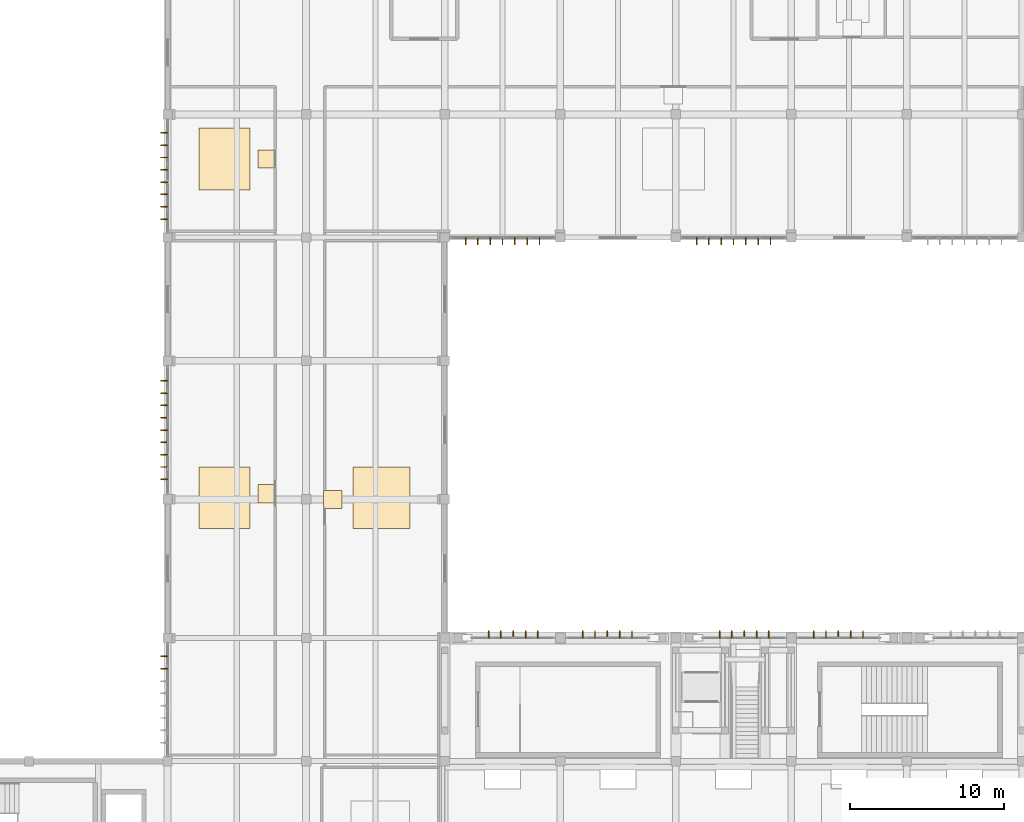
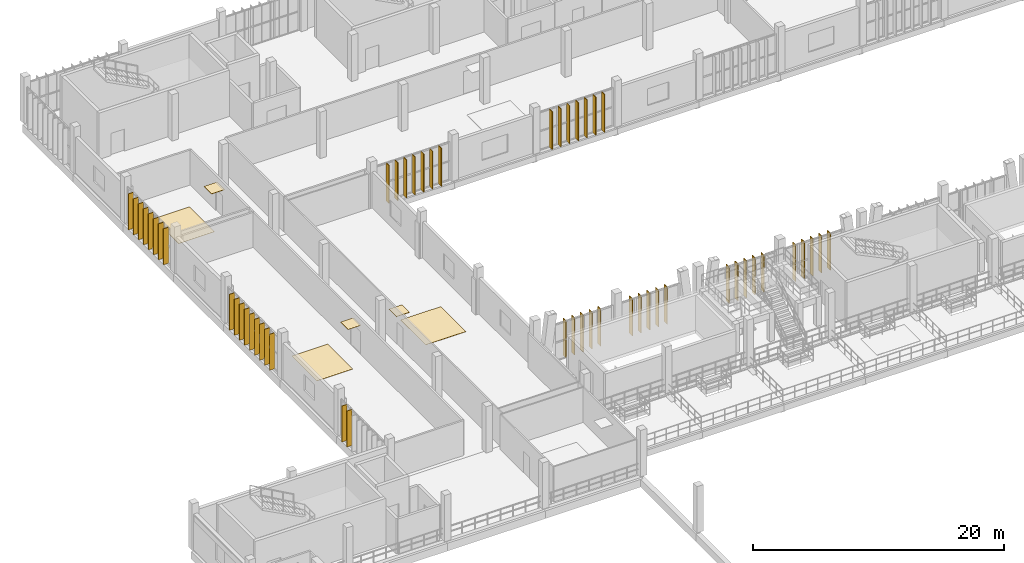
# One storey, part 72 of 81: 53 shading devices, 6 coverings.
"""IFC4 building model written with IfcOpenShell, lengths in metres."""

from ifc_helpers import new_model, si_unit, direction, frame, origin, origin_2d, place, context, subcontext, project, spatial, rectangle, extrude, material, layer, layer_set, material_profile, profile_set, type_object, element, save


model = new_model("IFC4")

# Units and contexts
model_context = context("Model", 3, precision=1e-05, world=origin(), true_north=direction((0.0, 1.0)))
body_context = subcontext(model_context, "Body", "Model", "MODEL_VIEW")
ifc_project = project(units=[si_unit("LENGTHUNIT", "METRE"), si_unit("AREAUNIT", "SQUARE_METRE"), si_unit("VOLUMEUNIT", "CUBIC_METRE"), si_unit("PLANEANGLEUNIT", "RADIAN"), si_unit("MASSUNIT", "GRAM", prefix="KILO")], contexts=[model_context])

# Site, building, storey
site_placement = place(None, origin())
site = spatial("IfcSite", under=ifc_project, at=site_placement, CompositionType="ELEMENT")
building_placement = place(site_placement, origin())
building = spatial("IfcBuilding", under=site, at=building_placement, Name="Vourika Railside Aquatics Centre", CompositionType="ELEMENT")
storey_placement = place(building_placement, frame((0.0, 0.0, 4.800048828125)))
storey = spatial("IfcBuildingStorey", under=building, at=storey_placement, Name="L01", CompositionType="ELEMENT", Elevation=4.800048828125)

# Coverings
ifc_material_1 = material(Name="Perforated moisture-resistant acoustic gypsum ceiling")
ifc_layer_1 = layer(ifc_material_1, 0.02490234375, Name="COV-CEIL-25")
ifc_layer_set_1 = layer_set([ifc_layer_1], Name="Perforated moisture-resistant acoustic gypsum ceiling")
covering_type_1 = type_object("IfcCoveringType", Name="COV-CEIL-25", PredefinedType="CEILING", material=ifc_layer_set_1)
for number, where, z_axis, x_axis, name in (
    (1, (24.47998046875, 97.10009765625, 2.637451171875), (0.0, 0.0, 1.0), (1.0, 0.0, 0.0), "Functional Kettlebell and Stretch Studio Acoustic Ceiling Panel"),
    (2, (24.47998046875, 75.3701171875, 2.637451171875), (0.0, 0.0, 1.0), (1.0, 0.0, 0.0), "Pilates and Trunk Mobility Studio Acoustic Ceiling Panel"),
    (3, (28.719970703125, 74.989990234375, 2.637451171875), (0.0, 0.0, 1.0), (1.0, 0.0, 0.0), "Members Fitness Assessment Lounge Acoustic Ceiling Panel"),
):
    element("IfcCovering", number, at=place(storey_placement, frame(where, z_axis=z_axis, x_axis=x_axis)), inside=storey, type_object=covering_type_1, Name=name, PredefinedType="CEILING", context=body_context, shape_type="SweptSolid", body=[
        extrude(rectangle(XDim=1.199951171875, YDim=1.199951171875, at=origin_2d()), origin(), (0.0, 0.0, 1.0), 0.02490234375),
    ])
ifc_material_2 = material(Name="Slip-resistant aqua ceramic sports flooring")
ifc_layer_2 = layer(ifc_material_2, 0.02001953125, Name="COV-FLOR-20")
ifc_layer_set_2 = layer_set([ifc_layer_2], Name="Slip-resistant aqua ceramic sports flooring")
covering_type_2 = type_object("IfcCoveringType", Name="COV-FLOR-20", PredefinedType="FLOORING", material=ifc_layer_set_2)
for number, where, z_axis, x_axis, name in (
    (4, (21.699951171875, 97.10009765625, 0.0), (0.0, 0.0, 1.0), (1.0, 0.0, 0.0), "Functional Kettlebell and Stretch Studio Sports Flooring Panel"),
    (5, (21.699951171875, 75.10009765625, 0.0), (0.0, 0.0, 1.0), (1.0, 0.0, 0.0), "Pilates and Trunk Mobility Studio Sports Flooring Panel"),
):
    element("IfcCovering", number, at=place(storey_placement, frame(where, z_axis=z_axis, x_axis=x_axis)), inside=storey, type_object=covering_type_2, Name=name, PredefinedType="FLOORING", context=body_context, shape_type="SweptSolid", body=[
        extrude(rectangle(XDim=3.300048828125, YDim=4.0, at=origin_2d()), origin(), (0.0, 0.0, 1.0), 0.02001953125),
    ])
covering_placement = place(storey_placement, frame((31.89990234375, 75.10009765625, 0.0), z_axis=(0.0, 0.0, 1.0), x_axis=(1.0, 0.0, 0.0)))
element("IfcCovering", 6, at=covering_placement, inside=storey, type_object=covering_type_2, Name="Members Fitness Assessment Lounge Sports Flooring Panel", PredefinedType="FLOORING", context=body_context, shape_type="SweptSolid", body=[
    extrude(rectangle(XDim=3.699951171875, YDim=4.0, at=origin_2d()), origin(), (0.0, 0.0, 1.0), 0.02001953125),
])

# Shading devices
ifc_material_3 = material(Name="Bronze-anodized extruded aluminium", Category="aluminium")
ifc_material_profile = material_profile(ifc_material_3, rectangle(XDim=0.06005859375, YDim=0.47998046875, at=origin_2d()), Name="ALU-FIN 60x480")
ifc_profile_set = profile_set([ifc_material_profile], Name="Bronze-anodized extruded aluminium")
shading_device_type = type_object("IfcShadingDeviceType", Name="SHD-FIN-F48A", PredefinedType="USERDEFINED", material=ifc_profile_set)
for number, where, z_axis, x_axis, name in (
    (7, (38.844970703125, 66.215087890625, 0.0), (0.0, 0.0, 1.0), (1.0, 0.0, 0.0), "Vertical Solar Fin VSF-0183"),
    (8, (39.64501953125, 66.215087890625, 0.0), (0.0, 0.0, 1.0), (1.0, 0.0, 0.0), "Vertical Solar Fin VSF-0184"),
    (9, (40.445068359375, 66.215087890625, 0.0), (0.0, 0.0, 1.0), (1.0, 0.0, 0.0), "Vertical Solar Fin VSF-0185"),
    (10, (41.2451171875, 66.215087890625, 0.0), (0.0, 0.0, 1.0), (1.0, 0.0, 0.0), "Vertical Solar Fin VSF-0186"),
    (11, (42.044921875, 66.215087890625, 0.0), (0.0, 0.0, 1.0), (1.0, 0.0, 0.0), "Vertical Solar Fin VSF-0187"),
    (12, (44.955078125, 66.215087890625, 0.0), (0.0, 0.0, 1.0), (1.0, 0.0, 0.0), "Vertical Solar Fin VSF-0188"),
    (13, (45.7548828125, 66.215087890625, 0.0), (0.0, 0.0, 1.0), (1.0, 0.0, 0.0), "Vertical Solar Fin VSF-0189"),
    (14, (46.554931640625, 66.215087890625, 0.0), (0.0, 0.0, 1.0), (1.0, 0.0, 0.0), "Vertical Solar Fin VSF-0190"),
    (15, (47.35498046875, 66.215087890625, 0.0), (0.0, 0.0, 1.0), (1.0, 0.0, 0.0), "Vertical Solar Fin VSF-0191"),
    (16, (48.155029296875, 66.215087890625, 0.0), (0.0, 0.0, 1.0), (1.0, 0.0, 0.0), "Vertical Solar Fin VSF-0192"),
    (17, (53.844970703125, 66.215087890625, 0.0), (0.0, 0.0, 1.0), (1.0, 0.0, 0.0), "Vertical Solar Fin VSF-0200"),
    (18, (54.64501953125, 66.215087890625, 0.0), (0.0, 0.0, 1.0), (1.0, 0.0, 0.0), "Vertical Solar Fin VSF-0201"),
    (19, (55.445068359375, 66.215087890625, 0.0), (0.0, 0.0, 1.0), (1.0, 0.0, 0.0), "Vertical Solar Fin VSF-0202"),
    (20, (56.2451171875, 66.215087890625, 0.0), (0.0, 0.0, 1.0), (1.0, 0.0, 0.0), "Vertical Solar Fin VSF-0203"),
    (21, (57.044921875, 66.215087890625, 0.0), (0.0, 0.0, 1.0), (1.0, 0.0, 0.0), "Vertical Solar Fin VSF-0204"),
    (22, (59.955078125, 66.215087890625, 0.0), (0.0, 0.0, 1.0), (1.0, 0.0, 0.0), "Vertical Solar Fin VSF-0205"),
    (23, (60.7548828125, 66.215087890625, 0.0), (0.0, 0.0, 1.0), (1.0, 0.0, 0.0), "Vertical Solar Fin VSF-0206"),
    (24, (61.554931640625, 66.215087890625, 0.0), (0.0, 0.0, 1.0), (1.0, 0.0, 0.0), "Vertical Solar Fin VSF-0207"),
    (25, (62.35498046875, 66.215087890625, 0.0), (0.0, 0.0, 1.0), (1.0, 0.0, 0.0), "Vertical Solar Fin VSF-0208"),
    (26, (63.155029296875, 66.215087890625, 0.0), (0.0, 0.0, 1.0), (1.0, 0.0, 0.0), "Vertical Solar Fin VSF-0209"),
):
    element("IfcShadingDevice", number, at=place(storey_placement, frame(where, z_axis=z_axis, x_axis=x_axis)), inside=storey, type_object=shading_device_type, Name=name, ObjectType="FIN", PredefinedType="USERDEFINED", context=body_context, shape_type="SweptSolid", body=[
        extrude(rectangle(XDim=0.06005859375, YDim=0.47998046875, at=origin_2d()), origin(), (0.0, 0.0, 1.0), 3.599853515625),
    ])
for number, where, z_axis, x_axis, name in (
    (27, (37.35009765625, 91.784912109375, 0.0), (0.0, 0.0, 1.0), (-1.0, 0.0, 0.0), "Vertical Solar Fin VSF-0782"),
    (28, (38.14990234375, 91.784912109375, 0.0), (0.0, 0.0, 1.0), (-1.0, 0.0, 0.0), "Vertical Solar Fin VSF-0783"),
    (29, (38.949951171875, 91.784912109375, 0.0), (0.0, 0.0, 1.0), (-1.0, 0.0, 0.0), "Vertical Solar Fin VSF-0784"),
    (30, (39.75, 91.784912109375, 0.0), (0.0, 0.0, 1.0), (-1.0, 0.0, 0.0), "Vertical Solar Fin VSF-0785"),
    (31, (40.550048828125, 91.784912109375, 0.0), (0.0, 0.0, 1.0), (-1.0, 0.0, 0.0), "Vertical Solar Fin VSF-0786"),
    (32, (41.35009765625, 91.784912109375, 0.0), (0.0, 0.0, 1.0), (-1.0, 0.0, 0.0), "Vertical Solar Fin VSF-0787"),
    (33, (42.14990234375, 91.784912109375, 0.0), (0.0, 0.0, 1.0), (-1.0, 0.0, 0.0), "Vertical Solar Fin VSF-0788"),
    (34, (52.35009765625, 91.784912109375, 0.0), (0.0, 0.0, 1.0), (-1.0, 0.0, 0.0), "Vertical Solar Fin VSF-0789"),
    (35, (53.14990234375, 91.784912109375, 0.0), (0.0, 0.0, 1.0), (-1.0, 0.0, 0.0), "Vertical Solar Fin VSF-0790"),
    (36, (53.949951171875, 91.784912109375, 0.0), (0.0, 0.0, 1.0), (-1.0, 0.0, 0.0), "Vertical Solar Fin VSF-0791"),
    (37, (54.75, 91.784912109375, 0.0), (0.0, 0.0, 1.0), (-1.0, 0.0, 0.0), "Vertical Solar Fin VSF-0792"),
    (38, (55.550048828125, 91.784912109375, 0.0), (0.0, 0.0, 1.0), (-1.0, 0.0, 0.0), "Vertical Solar Fin VSF-0793"),
    (39, (56.35009765625, 91.784912109375, 0.0), (0.0, 0.0, 1.0), (-1.0, 0.0, 0.0), "Vertical Solar Fin VSF-0794"),
    (40, (57.14990234375, 91.784912109375, 0.0), (0.0, 0.0, 1.0), (-1.0, 0.0, 0.0), "Vertical Solar Fin VSF-0795"),
):
    element("IfcShadingDevice", number, at=place(storey_placement, frame(where, z_axis=z_axis, x_axis=x_axis)), inside=storey, type_object=shading_device_type, Name=name, ObjectType="FIN", PredefinedType="USERDEFINED", context=body_context, shape_type="SweptSolid", body=[
        extrude(rectangle(XDim=0.06005859375, YDim=0.47998046875, at=origin_2d()), origin(), (0.0, 0.0, 1.0), 3.699951171875),
    ])
for number, where, z_axis, x_axis, name in (
    (41, (17.784912109375, 64.0, 0.0), (0.0, 0.0, 1.0), (0.0, 1.0, 0.0), "Vertical Solar Fin VSF-0837"),
    (42, (17.784912109375, 64.800048828125, 0.0), (0.0, 0.0, 1.0), (0.0, 1.0, 0.0), "Vertical Solar Fin VSF-0838"),
    (43, (17.784912109375, 76.300048828125, 0.0), (0.0, 0.0, 1.0), (0.0, 1.0, 0.0), "Vertical Solar Fin VSF-0839"),
    (44, (17.784912109375, 77.10009765625, 0.0), (0.0, 0.0, 1.0), (0.0, 1.0, 0.0), "Vertical Solar Fin VSF-0840"),
    (45, (17.784912109375, 77.89990234375, 0.0), (0.0, 0.0, 1.0), (0.0, 1.0, 0.0), "Vertical Solar Fin VSF-0841"),
    (46, (17.784912109375, 78.699951171875, 0.0), (0.0, 0.0, 1.0), (0.0, 1.0, 0.0), "Vertical Solar Fin VSF-0842"),
    (47, (17.784912109375, 79.5, 0.0), (0.0, 0.0, 1.0), (0.0, 1.0, 0.0), "Vertical Solar Fin VSF-0843"),
    (48, (17.784912109375, 80.300048828125, 0.0), (0.0, 0.0, 1.0), (0.0, 1.0, 0.0), "Vertical Solar Fin VSF-0844"),
    (49, (17.784912109375, 81.10009765625, 0.0), (0.0, 0.0, 1.0), (0.0, 1.0, 0.0), "Vertical Solar Fin VSF-0845"),
    (50, (17.784912109375, 81.89990234375, 0.0), (0.0, 0.0, 1.0), (0.0, 1.0, 0.0), "Vertical Solar Fin VSF-0846"),
    (51, (17.784912109375, 82.699951171875, 0.0), (0.0, 0.0, 1.0), (0.0, 1.0, 0.0), "Vertical Solar Fin VSF-0847"),
    (52, (17.784912109375, 93.199951171875, 0.0), (0.0, 0.0, 1.0), (0.0, 1.0, 0.0), "Vertical Solar Fin VSF-0848"),
    (53, (17.784912109375, 94.0, 0.0), (0.0, 0.0, 1.0), (0.0, 1.0, 0.0), "Vertical Solar Fin VSF-0849"),
    (54, (17.784912109375, 94.800048828125, 0.0), (0.0, 0.0, 1.0), (0.0, 1.0, 0.0), "Vertical Solar Fin VSF-0850"),
    (55, (17.784912109375, 95.60009765625, 0.0), (0.0, 0.0, 1.0), (0.0, 1.0, 0.0), "Vertical Solar Fin VSF-0851"),
    (56, (17.784912109375, 96.39990234375, 0.0), (0.0, 0.0, 1.0), (0.0, 1.0, 0.0), "Vertical Solar Fin VSF-0852"),
    (57, (17.784912109375, 97.199951171875, 0.0), (0.0, 0.0, 1.0), (0.0, 1.0, 0.0), "Vertical Solar Fin VSF-0853"),
    (58, (17.784912109375, 98.0, 0.0), (0.0, 0.0, 1.0), (0.0, 1.0, 0.0), "Vertical Solar Fin VSF-0854"),
    (59, (17.784912109375, 98.800048828125, 0.0), (0.0, 0.0, 1.0), (0.0, 1.0, 0.0), "Vertical Solar Fin VSF-0855"),
):
    element("IfcShadingDevice", number, at=place(storey_placement, frame(where, z_axis=z_axis, x_axis=x_axis)), inside=storey, type_object=shading_device_type, Name=name, ObjectType="FIN", PredefinedType="USERDEFINED", context=body_context, shape_type="SweptSolid", body=[
        extrude(rectangle(XDim=0.06005859375, YDim=0.47998046875, at=origin_2d()), origin(), (0.0, 0.0, 1.0), 3.5),
    ])

save(model, "model.ifc")
